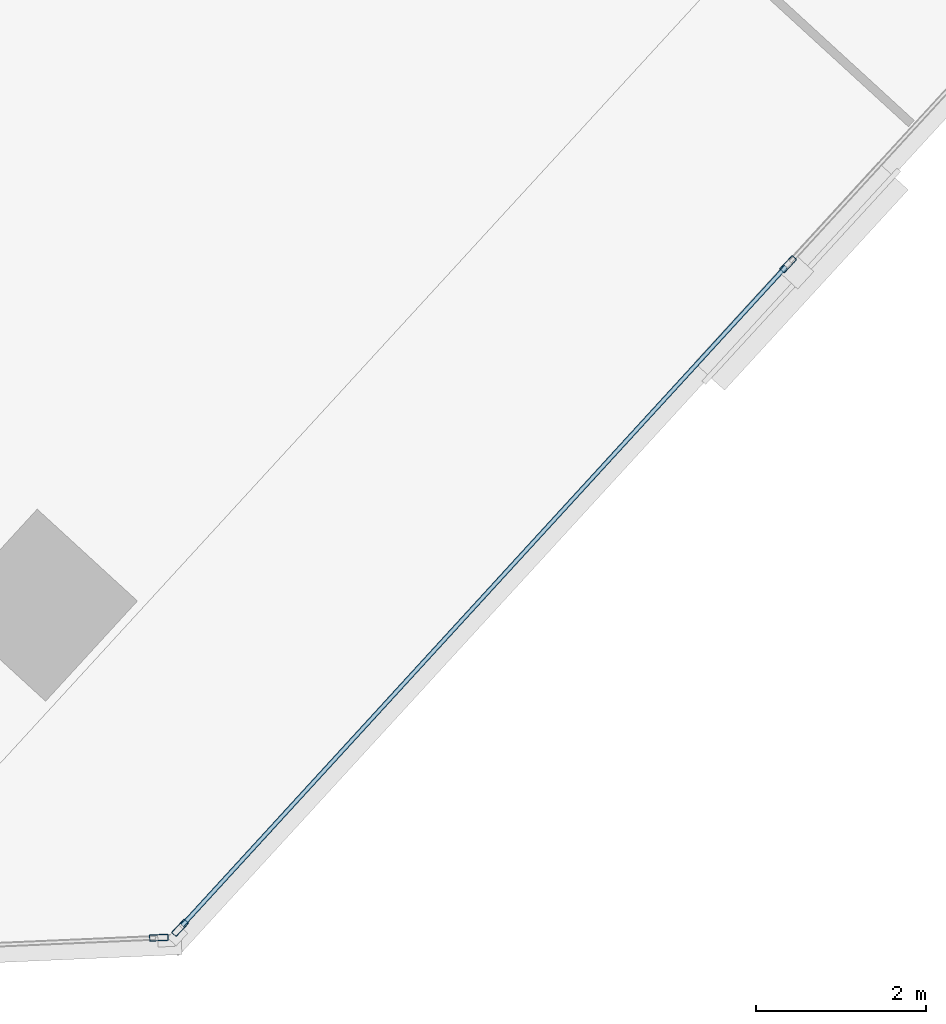
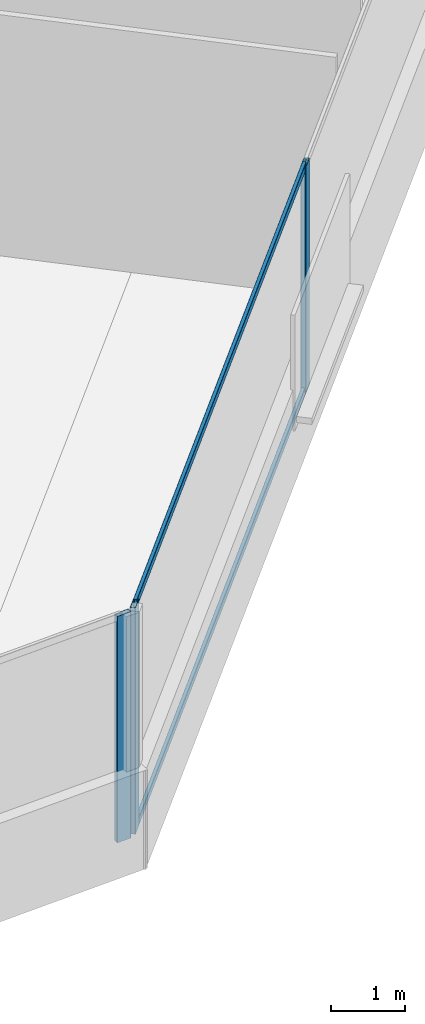
# One storey, part 6 of 18: 5 members, 2 elements without a shape of their own.
"""IFC4 building model written with IfcOpenShell, lengths in metres."""

from ifc_helpers import new_model, si_unit, direction, frame, origin, origin_2d, place, context, subcontext, project, spatial, hollow_rectangle, extrude, source, transform, mapped, material, material_profile, profile_set, type_object, element, aggregate, save


model = new_model("IFC4")

# Units and contexts
model_context = context("Model", 3, precision=1e-05, world=origin(), true_north=direction((0.0, 1.0)))
body_context = subcontext(model_context, "Body", "Model", "MODEL_VIEW")
ifc_project = project(units=[si_unit("LENGTHUNIT", "METRE"), si_unit("AREAUNIT", "SQUARE_METRE"), si_unit("VOLUMEUNIT", "CUBIC_METRE"), si_unit("PLANEANGLEUNIT", "RADIAN"), si_unit("MASSUNIT", "GRAM", prefix="KILO")], contexts=[model_context])

# Site, building, storey
site_placement = place(None, origin())
site = spatial("IfcSite", under=ifc_project, at=site_placement, CompositionType="ELEMENT")
building_placement = place(site_placement, origin())
building = spatial("IfcBuilding", under=site, at=building_placement, Name="Torre Montelarca", CompositionType="ELEMENT")
storey_placement = place(building_placement, frame((0.0, 0.0, 237.39990234375)))
storey = spatial("IfcBuildingStorey", under=building, at=storey_placement, Name="L53", CompositionType="ELEMENT", Elevation=237.39990234375)

# Curtain wall, members
ifc_material_1 = material(Name="Insulated low-E laminated glass", Category="glass")
curtain_wall_type = type_object("IfcCurtainWallType", Name="CW-SYS-Z3", PredefinedType="USERDEFINED", material=ifc_material_1)
curtain_wall_1_placement = place(storey_placement, origin())
curtain_wall_1 = element("IfcCurtainWall", 1, at=curtain_wall_1_placement, inside=storey, type_object=curtain_wall_type, Name="L53 Curtain Wall Run CW-T3-L53-E06-B1", ObjectType="UNITISED GLAZING", PredefinedType="USERDEFINED")
ifc_material_2 = material(Name="Anodised aluminium AA 6063-T6", Category="aluminium")
ifc_material_profile_1 = material_profile(ifc_material_2, hollow_rectangle(XDim=0.054931640625, YDim=0.1201171875, WallThickness=0.00341796875, InnerFilletRadius=0.00341796875, OuterFilletRadius=0.007080078125, at=origin_2d()), Name="ALU55X120X3.5", Category="aluminium")
ifc_profile_set_1 = profile_set([ifc_material_profile_1], Name="Anodised aluminium AA 6063-T6")
member_type_1 = type_object("IfcMemberType", Name="CWT-ALU120", PredefinedType="USERDEFINED", material=ifc_profile_set_1)
shared_shape_1 = source(origin(), body_context, "Body", "SweptSolid", [
    extrude(hollow_rectangle(XDim=0.054931640625, YDim=0.1201171875, WallThickness=0.00341796875, InnerFilletRadius=0.00341796875, OuterFilletRadius=0.007080078125, at=origin_2d()), origin(), (0.0, 0.0, 1.0), 10.521484375),
])
member_1_placement = place(storey_placement, frame((32.8681640625, 8.48193359375, 0.027587890625), z_axis=(0.675583816205, 0.737283193408, 0.0), x_axis=(-0.737283193408, 0.675583816205, 0.0)))
member_1 = element("IfcMember", 2, at=member_1_placement, type_object=member_type_1, Name="CW transom 1.1", ObjectType="TRANSOM", PredefinedType="USERDEFINED", context=body_context, shape_type="MappedRepresentation", body=[
    mapped(shared_shape_1, transform((0.0, 0.0, 0.0), scale=1.0)),
])
member_2_placement = place(storey_placement, frame((32.8681640625, 8.48193359375, 3.692626953125), z_axis=(0.675583816205, 0.737283193408, 0.0), x_axis=(-0.737283193408, 0.675583816205, 0.0)))
member_2 = element("IfcMember", 3, at=member_2_placement, type_object=member_type_1, Name="CW transom 1.2", ObjectType="TRANSOM", PredefinedType="USERDEFINED", context=body_context, shape_type="MappedRepresentation", body=[
    mapped(shared_shape_1, transform((0.0, 0.0, 0.0), scale=1.0)),
])

# Curtain wall, member
curtain_wall_2_placement = place(storey_placement, origin())
curtain_wall_2 = element("IfcCurtainWall", 4, at=curtain_wall_2_placement, inside=storey, type_object=curtain_wall_type, Name="L53 Curtain Wall Run CW-T3-L53-E05-B1", ObjectType="UNITISED GLAZING", PredefinedType="USERDEFINED")
ifc_material_profile_2 = material_profile(ifc_material_2, hollow_rectangle(XDim=0.074951171875, YDim=0.219970703125, WallThickness=0.0048828125, InnerFilletRadius=0.0048828125, OuterFilletRadius=0.010009765625, at=origin_2d()), Name="ALU75X220X5", Category="aluminium")
ifc_profile_set_2 = profile_set([ifc_material_profile_2], Name="Anodised aluminium AA 6063-T6")
member_type_2 = type_object("IfcMemberType", Name="CWM-ALU220", PredefinedType="MULLION", material=ifc_profile_set_2)
shared_shape_2 = source(origin(), body_context, "Body", "SweptSolid", [
    extrude(hollow_rectangle(XDim=0.074951171875, YDim=0.219970703125, WallThickness=0.0048828125, InnerFilletRadius=0.0048828125, OuterFilletRadius=0.010009765625, at=origin_2d()), origin(), (0.0, 0.0, 1.0), 3.72021484375),
])
member_3_placement = place(storey_placement, frame((32.59228515625, 8.337646484375, 0.0), z_axis=(0.0, 0.0, 1.0), x_axis=(-0.043615635968, 0.999048385364, 0.0)))
member_3 = element("IfcMember", 5, at=member_3_placement, type_object=member_type_2, Name="CW mullion 3", PredefinedType="MULLION", context=body_context, shape_type="MappedRepresentation", body=[
    mapped(shared_shape_2, transform((0.0, 0.0, 0.0), scale=1.0)),
])
aggregate(curtain_wall_2, [member_3])

# Member
member_4_placement = place(storey_placement, frame((32.8427734375, 8.454345703125, 0.0), z_axis=(0.0, 0.0, 1.0), x_axis=(-0.737277670314, 0.675589843659, 0.0)))
member_4 = element("IfcMember", 6, at=member_4_placement, type_object=member_type_2, Name="CW mullion 1", PredefinedType="MULLION", context=body_context, shape_type="MappedRepresentation", body=[
    mapped(shared_shape_2, transform((0.0, 0.0, 0.0), scale=1.0)),
])

member_5_placement = place(storey_placement, frame((40.001708984375, 16.266845703125, 0.0), z_axis=(0.0, 0.0, 1.0), x_axis=(-0.737277670314, 0.675589843659, 0.0)))
member_5 = element("IfcMember", 7, at=member_5_placement, type_object=member_type_2, Name="CW mullion 2", PredefinedType="MULLION", context=body_context, shape_type="MappedRepresentation", body=[
    mapped(shared_shape_2, transform((0.0, 0.0, 0.0), scale=1.0)),
])

aggregate(curtain_wall_1, [member_4, member_5, member_1, member_2])

save(model, "model.ifc")
